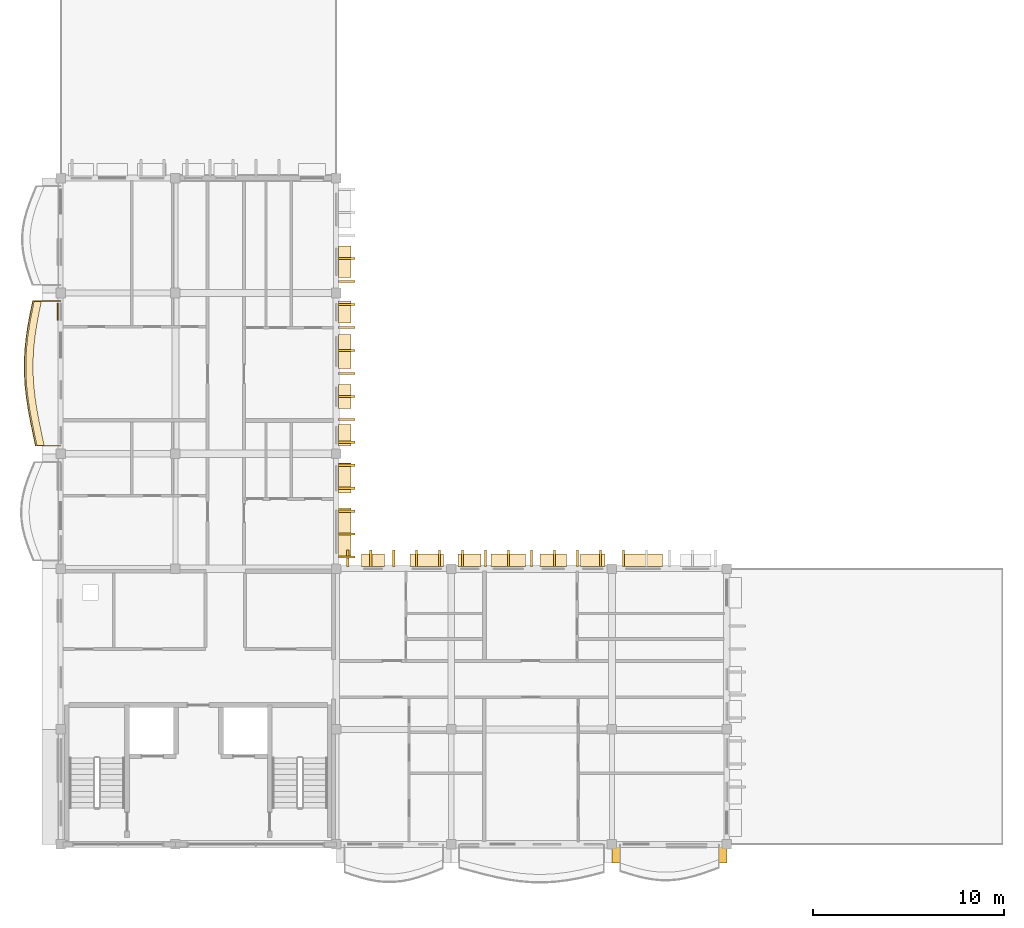
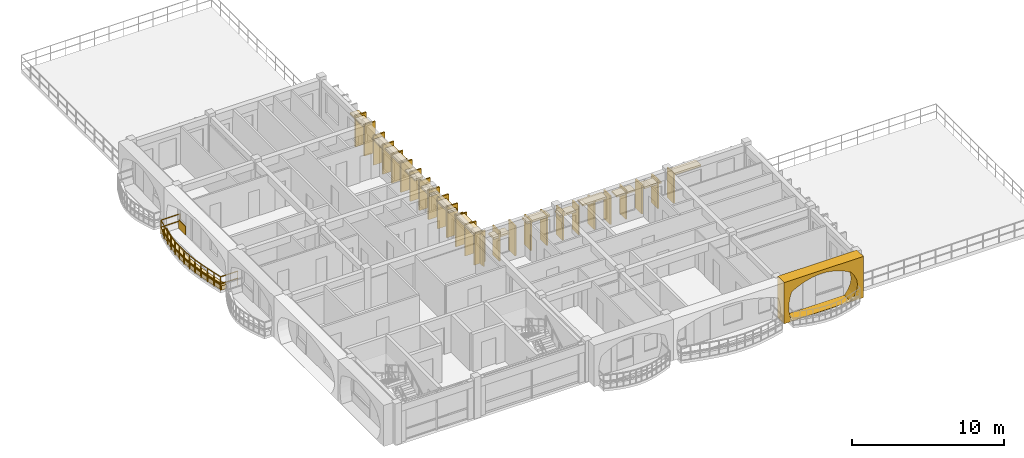
# One storey, part 38 of 59: 44 coverings, 1 railing.
"""IFC4 building model written with IfcOpenShell, lengths in metres."""

from ifc_helpers import new_model, si_unit, direction, frame, origin, origin_2d, place, context, subcontext, project, spatial, polyline, rectangle, outline, extrude, material, layer, layer_set, type_object, element, save


model = new_model("IFC4")

# Units and contexts
model_context = context("Model", 3, precision=1e-05, world=origin(), true_north=direction((0.0, 1.0)))
body_context = subcontext(model_context, "Body", "Model", "MODEL_VIEW")
ifc_project = project(units=[si_unit("LENGTHUNIT", "METRE"), si_unit("AREAUNIT", "SQUARE_METRE"), si_unit("VOLUMEUNIT", "CUBIC_METRE"), si_unit("PLANEANGLEUNIT", "RADIAN"), si_unit("MASSUNIT", "GRAM", prefix="KILO"), si_unit("THERMODYNAMICTEMPERATUREUNIT", "KELVIN")], contexts=[model_context])

# Site, building, storey
site_placement = place(None, origin())
site = spatial("IfcSite", under=ifc_project, at=site_placement, CompositionType="ELEMENT")
building_placement = place(site_placement, origin())
building = spatial("IfcBuilding", under=site, at=building_placement, Name="Thalorik Housing Commons", CompositionType="ELEMENT")
storey_placement = place(building_placement, frame((0.0, 0.0, 27.89990234375)))
storey = spatial("IfcBuildingStorey", under=building, at=storey_placement, Name="L08", CompositionType="ELEMENT", Elevation=27.89990234375)

# Coverings
ifc_material_1 = material(Name="Cobalt blue glazed ceramic facade tile panel", Category="masonry")
ifc_layer_1 = layer(ifc_material_1, 0.06005859375, Name="Cobalt blue glazed ceramic facade tile panel", Category="masonry")
ifc_layer_set_1 = layer_set([ifc_layer_1], Name="Cobalt blue glazed ceramic facade tile panel")
covering_type_1 = type_object("IfcCoveringType", Name="ARC-CLD-BLU-60", PredefinedType="CLADDING", material=ifc_layer_set_1)
covering_1_placement = place(storey_placement, frame((8.24755859375, 36.22509765625, 0.05029296875), z_axis=(0.0, 0.0, 1.0), x_axis=(0.0, -1.0, 0.0)))
element("IfcCovering", 1, at=covering_1_placement, inside=storey, type_object=covering_type_1, Name="L08 De Stijl Recessed Window Spandrel 4302", PredefinedType="CLADDING", context=body_context, shape_type="SweptSolid", body=[
    extrude(rectangle(XDim=0.89990234375, YDim=0.06005859375, at=origin_2d()), origin(), (0.0, 0.0, 1.0), 0.699951171875),
])
ifc_material_2 = material(Name="Precast concrete C40/50", Category="concrete")
ifc_layer_2 = layer(ifc_material_2, 0.85009765625, Name="Precast concrete C40/50", Category="concrete")
ifc_layer_set_2 = layer_set([ifc_layer_2], Name="Precast concrete C40/50")
covering_type_2 = type_object("IfcCoveringType", Name="ARC-CLD-CUSH-850", PredefinedType="CLADDING", material=ifc_layer_set_2)
covering_2_placement = place(storey_placement, frame((40.199951171875, 7.857421875, 0.0), z_axis=(0.0, 0.0, 1.0), x_axis=(1.0, 0.0, 0.0)))
element("IfcCovering", 2, at=covering_2_placement, inside=storey, type_object=covering_type_2, Name="L08 White Precast Curved Cushion Bay Frame 4313", PredefinedType="CLADDING", context=body_context, shape_type="SweptSolid", body=[
    extrude(outline(polyline([(-3.0, 0.0), (3.0, 0.0), (3.0, 3.300048828125), (-3.0, 3.300048828125), (-3.0, 0.0)]), holes=[polyline([(2.0400390625, 0.02490234375), (2.3232421875, 0.415771484375), (2.493408203125, 0.806640625), (2.550048828125, 1.197509765625), (2.493408203125, 1.58837890625), (2.3232421875, 1.979248046875), (2.0400390625, 2.3701171875), (1.66748046875, 2.573974609375), (1.294921875, 2.734130859375), (0.922607421875, 2.864013671875), (0.550048828125, 2.960205078125), (0.177490234375, 3.02001953125), (-0.195068359375, 3.0400390625), (-0.5673828125, 3.02001953125), (-0.93994140625, 2.960205078125), (-1.3125, 2.864013671875), (-1.68505859375, 2.734130859375), (-2.0576171875, 2.573974609375), (-2.429931640625, 2.3701171875), (-2.55029296875, 1.979248046875), (-2.62255859375, 1.58837890625), (-2.646484375, 1.197509765625), (-2.62255859375, 0.806640625), (-2.55029296875, 0.415771484375), (-2.429931640625, 0.02490234375), (2.0400390625, 0.02490234375)])]), frame((0.0, 0.425048828125, 0.0), z_axis=(0.0, -1.0, 0.0), x_axis=(1.0, 0.0, 0.0)), (0.0, 0.0, 1.0), 0.85009765625),
])
ifc_layer_3 = layer(ifc_material_2, 0.85009765625, Name="Precast concrete C40/50", Category="concrete")
ifc_layer_set_3 = layer_set([ifc_layer_3], Name="Precast concrete C40/50")
covering_type_3 = type_object("IfcCoveringType", Name="ARC-CLD-FIN-850", PredefinedType="CLADDING", material=ifc_layer_set_3)
for number, where, z_axis, x_axis, name in (
    (3, (23.342529296875, 23.39990234375, 0.0400390625), (0.0, 0.0, 1.0), (0.0, 1.0, 0.0), "L08 Courtyard Precast Vertical Brise-Soleil Fin 4260"),
    (4, (23.342529296875, 24.60009765625, 0.0400390625), (0.0, 0.0, 1.0), (0.0, 1.0, 0.0), "L08 Courtyard Precast Vertical Brise-Soleil Fin 4261"),
    (5, (23.342529296875, 25.800048828125, 0.0400390625), (0.0, 0.0, 1.0), (0.0, 1.0, 0.0), "L08 Courtyard Precast Vertical Brise-Soleil Fin 4262"),
    (6, (23.342529296875, 27.0, 0.0400390625), (0.0, 0.0, 1.0), (0.0, 1.0, 0.0), "L08 Courtyard Precast Vertical Brise-Soleil Fin 4263"),
    (7, (23.342529296875, 28.199951171875, 0.0400390625), (0.0, 0.0, 1.0), (0.0, 1.0, 0.0), "L08 Courtyard Precast Vertical Brise-Soleil Fin 4264"),
):
    element("IfcCovering", number, at=place(storey_placement, frame(where, z_axis=z_axis, x_axis=x_axis)), inside=storey, type_object=covering_type_3, Name=name, PredefinedType="CLADDING", context=body_context, shape_type="SweptSolid", body=[
        extrude(rectangle(XDim=0.110107421875, YDim=0.85009765625, at=origin_2d()), origin(), (0.0, 0.0, 1.0), 2.4951171875),
    ])
for number, where, z_axis, x_axis, name in (
    (8, (23.342529296875, 29.39990234375, 0.0400390625), (0.0, 0.0, 1.0), (0.0, 1.0, 0.0), "L08 Courtyard Precast Vertical Brise-Soleil Fin 4267"),
    (9, (23.342529296875, 30.60009765625, 0.0400390625), (0.0, 0.0, 1.0), (0.0, 1.0, 0.0), "L08 Courtyard Precast Vertical Brise-Soleil Fin 4268"),
    (10, (23.342529296875, 31.800048828125, 0.0400390625), (0.0, 0.0, 1.0), (0.0, 1.0, 0.0), "L08 Courtyard Precast Vertical Brise-Soleil Fin 4269"),
    (11, (23.342529296875, 33.0, 0.0400390625), (0.0, 0.0, 1.0), (0.0, 1.0, 0.0), "L08 Courtyard Precast Vertical Brise-Soleil Fin 4270"),
    (12, (23.342529296875, 34.199951171875, 0.0400390625), (0.0, 0.0, 1.0), (0.0, 1.0, 0.0), "L08 Courtyard Precast Vertical Brise-Soleil Fin 4271"),
    (13, (23.342529296875, 35.39990234375, 0.0400390625), (0.0, 0.0, 1.0), (0.0, 1.0, 0.0), "L08 Courtyard Precast Vertical Brise-Soleil Fin 4272"),
    (14, (23.342529296875, 36.60009765625, 0.0400390625), (0.0, 0.0, 1.0), (0.0, 1.0, 0.0), "L08 Courtyard Precast Vertical Brise-Soleil Fin 4273"),
):
    element("IfcCovering", number, at=place(storey_placement, frame(where, z_axis=z_axis, x_axis=x_axis)), inside=storey, type_object=covering_type_3, Name=name, PredefinedType="CLADDING", context=body_context, shape_type="SweptSolid", body=[
        extrude(rectangle(XDim=0.110107421875, YDim=0.85009765625, at=origin_2d()), origin(), (0.0, 0.0, 1.0), 2.344970703125),
    ])
for number, where, z_axis, x_axis, name in (
    (15, (23.342529296875, 37.800048828125, 0.0400390625), (0.0, 0.0, 1.0), (0.0, 1.0, 0.0), "L08 Courtyard Precast Vertical Brise-Soleil Fin 4278"),
    (16, (23.342529296875, 39.0, 0.0400390625), (0.0, 0.0, 1.0), (0.0, 1.0, 0.0), "L08 Courtyard Precast Vertical Brise-Soleil Fin 4279"),
):
    element("IfcCovering", number, at=place(storey_placement, frame(where, z_axis=z_axis, x_axis=x_axis)), inside=storey, type_object=covering_type_3, Name=name, PredefinedType="CLADDING", context=body_context, shape_type="SweptSolid", body=[
        extrude(rectangle(XDim=0.110107421875, YDim=0.85009765625, at=origin_2d()), origin(), (0.0, 0.0, 1.0), 2.4951171875),
    ])
covering_3_placement = place(storey_placement, frame((37.800048828125, 23.342529296875, 0.0400390625), z_axis=(0.0, 0.0, 1.0), x_axis=(-1.0, 0.0, 0.0)))
element("IfcCovering", 17, at=covering_3_placement, inside=storey, type_object=covering_type_3, Name="L08 Courtyard Precast Vertical Brise-Soleil Fin 4333", PredefinedType="CLADDING", context=body_context, shape_type="SweptSolid", body=[
    extrude(rectangle(XDim=0.110107421875, YDim=0.85009765625, at=origin_2d()), origin(), (0.0, 0.0, 1.0), 2.39501953125),
])
for number, where, z_axis, x_axis, name in (
    (18, (36.60009765625, 23.342529296875, 0.0400390625), (0.0, 0.0, 1.0), (-1.0, 0.0, 0.0), "L08 Courtyard Precast Vertical Brise-Soleil Fin 4336"),
    (19, (35.39990234375, 23.342529296875, 0.0400390625), (0.0, 0.0, 1.0), (-1.0, 0.0, 0.0), "L08 Courtyard Precast Vertical Brise-Soleil Fin 4337"),
    (20, (34.199951171875, 23.342529296875, 0.0400390625), (0.0, 0.0, 1.0), (-1.0, 0.0, 0.0), "L08 Courtyard Precast Vertical Brise-Soleil Fin 4338"),
    (21, (33.0, 23.342529296875, 0.0400390625), (0.0, 0.0, 1.0), (-1.0, 0.0, 0.0), "L08 Courtyard Precast Vertical Brise-Soleil Fin 4339"),
    (22, (31.800048828125, 23.342529296875, 0.0400390625), (0.0, 0.0, 1.0), (-1.0, 0.0, 0.0), "L08 Courtyard Precast Vertical Brise-Soleil Fin 4340"),
    (23, (30.60009765625, 23.342529296875, 0.0400390625), (0.0, 0.0, 1.0), (-1.0, 0.0, 0.0), "L08 Courtyard Precast Vertical Brise-Soleil Fin 4341"),
    (24, (29.39990234375, 23.342529296875, 0.0400390625), (0.0, 0.0, 1.0), (-1.0, 0.0, 0.0), "L08 Courtyard Precast Vertical Brise-Soleil Fin 4342"),
):
    element("IfcCovering", number, at=place(storey_placement, frame(where, z_axis=z_axis, x_axis=x_axis)), inside=storey, type_object=covering_type_3, Name=name, PredefinedType="CLADDING", context=body_context, shape_type="SweptSolid", body=[
        extrude(rectangle(XDim=0.110107421875, YDim=0.85009765625, at=origin_2d()), origin(), (0.0, 0.0, 1.0), 2.294921875),
    ])
for number, where, z_axis, x_axis, name in (
    (25, (28.199951171875, 23.342529296875, 0.0400390625), (0.0, 0.0, 1.0), (-1.0, 0.0, 0.0), "L08 Courtyard Precast Vertical Brise-Soleil Fin 4347"),
    (26, (27.0, 23.342529296875, 0.0400390625), (0.0, 0.0, 1.0), (-1.0, 0.0, 0.0), "L08 Courtyard Precast Vertical Brise-Soleil Fin 4348"),
    (27, (25.800048828125, 23.342529296875, 0.0400390625), (0.0, 0.0, 1.0), (-1.0, 0.0, 0.0), "L08 Courtyard Precast Vertical Brise-Soleil Fin 4349"),
    (28, (24.60009765625, 23.342529296875, 0.0400390625), (0.0, 0.0, 1.0), (-1.0, 0.0, 0.0), "L08 Courtyard Precast Vertical Brise-Soleil Fin 4350"),
    (29, (23.39990234375, 23.342529296875, 0.0400390625), (0.0, 0.0, 1.0), (-1.0, 0.0, 0.0), "L08 Courtyard Precast Vertical Brise-Soleil Fin 4351"),
):
    element("IfcCovering", number, at=place(storey_placement, frame(where, z_axis=z_axis, x_axis=x_axis)), inside=storey, type_object=covering_type_3, Name=name, PredefinedType="CLADDING", context=body_context, shape_type="SweptSolid", body=[
        extrude(rectangle(XDim=0.110107421875, YDim=0.85009765625, at=origin_2d()), origin(), (0.0, 0.0, 1.0), 2.39501953125),
    ])
ifc_layer_4 = layer(ifc_material_2, 0.64990234375, Name="Precast concrete C40/50", Category="concrete")
ifc_layer_set_4 = layer_set([ifc_layer_4], Name="Precast concrete C40/50")
covering_type_4 = type_object("IfcCoveringType", Name="ARC-CLD-HOOD-650", PredefinedType="CLADDING", material=ifc_layer_set_4)
covering_4_placement = place(storey_placement, frame((23.242431640625, 24.71630859375, 2.39013671875), z_axis=(0.0, 0.0, 1.0), x_axis=(0.0, 1.0, 0.0)))
element("IfcCovering", 30, at=covering_4_placement, inside=storey, type_object=covering_type_4, Name="L08 Courtyard Precast Window Sun-Hood 4265", PredefinedType="CLADDING", context=body_context, shape_type="SweptSolid", body=[
    extrude(rectangle(XDim=2.489990234375, YDim=0.64990234375, at=origin_2d()), origin(), (0.0, 0.0, 1.0), 0.139892578125),
])
covering_5_placement = place(storey_placement, frame((23.242431640625, 27.526123046875, 2.14013671875), z_axis=(0.0, 0.0, 1.0), x_axis=(0.0, 1.0, 0.0)))
element("IfcCovering", 31, at=covering_5_placement, inside=storey, type_object=covering_type_4, Name="L08 Courtyard Precast Window Sun-Hood 4266", PredefinedType="CLADDING", context=body_context, shape_type="SweptSolid", body=[
    extrude(rectangle(XDim=1.56005859375, YDim=0.64990234375, at=origin_2d()), origin(), (0.0, 0.0, 1.0), 0.139892578125),
])
covering_6_placement = place(storey_placement, frame((23.242431640625, 29.764892578125, 1.990234375), z_axis=(0.0, 0.0, 1.0), x_axis=(0.0, 1.0, 0.0)))
element("IfcCovering", 32, at=covering_6_placement, inside=storey, type_object=covering_type_4, Name="L08 Courtyard Precast Window Sun-Hood 4274", PredefinedType="CLADDING", context=body_context, shape_type="SweptSolid", body=[
    extrude(rectangle(XDim=1.139892578125, YDim=0.64990234375, at=origin_2d()), origin(), (0.0, 0.0, 1.0), 0.139892578125),
])
covering_7_placement = place(storey_placement, frame((23.242431640625, 31.787109375, 2.0400390625), z_axis=(0.0, 0.0, 1.0), x_axis=(0.0, 1.0, 0.0)))
element("IfcCovering", 33, at=covering_7_placement, inside=storey, type_object=covering_type_4, Name="L08 Courtyard Precast Window Sun-Hood 4275", PredefinedType="CLADDING", context=body_context, shape_type="SweptSolid", body=[
    extrude(rectangle(XDim=1.239990234375, YDim=0.64990234375, at=origin_2d()), origin(), (0.0, 0.0, 1.0), 0.139892578125),
])
covering_8_placement = place(storey_placement, frame((23.242431640625, 34.14111328125, 2.18994140625), z_axis=(0.0, 0.0, 1.0), x_axis=(0.0, 1.0, 0.0)))
element("IfcCovering", 34, at=covering_8_placement, inside=storey, type_object=covering_type_4, Name="L08 Courtyard Precast Window Sun-Hood 4276", PredefinedType="CLADDING", context=body_context, shape_type="SweptSolid", body=[
    extrude(rectangle(XDim=1.7900390625, YDim=0.64990234375, at=origin_2d()), origin(), (0.0, 0.0, 1.0), 0.139892578125),
])
covering_9_placement = place(storey_placement, frame((23.242431640625, 36.198974609375, 1.990234375), z_axis=(0.0, 0.0, 1.0), x_axis=(0.0, 1.0, 0.0)))
element("IfcCovering", 35, at=covering_9_placement, inside=storey, type_object=covering_type_4, Name="L08 Courtyard Precast Window Sun-Hood 4277", PredefinedType="CLADDING", context=body_context, shape_type="SweptSolid", body=[
    extrude(rectangle(XDim=1.139892578125, YDim=0.64990234375, at=origin_2d()), origin(), (0.0, 0.0, 1.0), 0.139892578125),
])
covering_10_placement = place(storey_placement, frame((23.242431640625, 38.830078125, 2.240234375), z_axis=(0.0, 0.0, 1.0), x_axis=(0.0, 1.0, 0.0)))
element("IfcCovering", 36, at=covering_10_placement, inside=storey, type_object=covering_type_4, Name="L08 Courtyard Precast Window Sun-Hood 4283", PredefinedType="CLADDING", context=body_context, shape_type="SweptSolid", body=[
    extrude(rectangle(XDim=1.639892578125, YDim=0.64990234375, at=origin_2d()), origin(), (0.0, 0.0, 1.0), 0.139892578125),
])
covering_11_placement = place(storey_placement, frame((38.830078125, 23.242431640625, 2.2900390625), z_axis=(0.0, 0.0, 1.0), x_axis=(-1.0, 0.0, 0.0)))
element("IfcCovering", 37, at=covering_11_placement, inside=storey, type_object=covering_type_4, Name="L08 Courtyard Precast Window Sun-Hood 4335", PredefinedType="CLADDING", context=body_context, shape_type="SweptSolid", body=[
    extrude(rectangle(XDim=2.0400390625, YDim=0.64990234375, at=origin_2d()), origin(), (0.0, 0.0, 1.0), 0.139892578125),
])
covering_12_placement = place(storey_placement, frame((36.198974609375, 23.242431640625, 1.990234375), z_axis=(0.0, 0.0, 1.0), x_axis=(-1.0, 0.0, 0.0)))
element("IfcCovering", 38, at=covering_12_placement, inside=storey, type_object=covering_type_4, Name="L08 Courtyard Precast Window Sun-Hood 4343", PredefinedType="CLADDING", context=body_context, shape_type="SweptSolid", body=[
    extrude(rectangle(XDim=1.2900390625, YDim=0.64990234375, at=origin_2d()), origin(), (0.0, 0.0, 1.0), 0.139892578125),
])
covering_13_placement = place(storey_placement, frame((34.14111328125, 23.242431640625, 2.0400390625), z_axis=(0.0, 0.0, 1.0), x_axis=(-1.0, 0.0, 0.0)))
element("IfcCovering", 39, at=covering_13_placement, inside=storey, type_object=covering_type_4, Name="L08 Courtyard Precast Window Sun-Hood 4344", PredefinedType="CLADDING", context=body_context, shape_type="SweptSolid", body=[
    extrude(rectangle(XDim=1.389892578125, YDim=0.64990234375, at=origin_2d()), origin(), (0.0, 0.0, 1.0), 0.139892578125),
])
covering_14_placement = place(storey_placement, frame((31.787109375, 23.242431640625, 2.22509765625), z_axis=(0.0, 0.0, 1.0), x_axis=(-1.0, 0.0, 0.0)))
element("IfcCovering", 40, at=covering_14_placement, inside=storey, type_object=covering_type_4, Name="L08 Courtyard Precast Window Sun-Hood 4345", PredefinedType="CLADDING", context=body_context, shape_type="SweptSolid", body=[
    extrude(rectangle(XDim=1.820068359375, YDim=0.64990234375, at=origin_2d()), origin(), (0.0, 0.0, 1.0), 0.139892578125),
])
covering_15_placement = place(storey_placement, frame((29.764892578125, 23.242431640625, 1.93994140625), z_axis=(0.0, 0.0, 1.0), x_axis=(-1.0, 0.0, 0.0)))
element("IfcCovering", 41, at=covering_15_placement, inside=storey, type_object=covering_type_4, Name="L08 Courtyard Precast Window Sun-Hood 4346", PredefinedType="CLADDING", context=body_context, shape_type="SweptSolid", body=[
    extrude(rectangle(XDim=1.18994140625, YDim=0.64990234375, at=origin_2d()), origin(), (0.0, 0.0, 1.0), 0.139892578125),
])
covering_16_placement = place(storey_placement, frame((27.526123046875, 23.242431640625, 2.2900390625), z_axis=(0.0, 0.0, 1.0), x_axis=(-1.0, 0.0, 0.0)))
element("IfcCovering", 42, at=covering_16_placement, inside=storey, type_object=covering_type_4, Name="L08 Courtyard Precast Window Sun-Hood 4352", PredefinedType="CLADDING", context=body_context, shape_type="SweptSolid", body=[
    extrude(rectangle(XDim=1.739990234375, YDim=0.64990234375, at=origin_2d()), origin(), (0.0, 0.0, 1.0), 0.139892578125),
])
covering_17_placement = place(storey_placement, frame((24.71630859375, 23.242431640625, 1.93994140625), z_axis=(0.0, 0.0, 1.0), x_axis=(-1.0, 0.0, 0.0)))
element("IfcCovering", 43, at=covering_17_placement, inside=storey, type_object=covering_type_4, Name="L08 Courtyard Precast Window Sun-Hood 4353", PredefinedType="CLADDING", context=body_context, shape_type="SweptSolid", body=[
    extrude(rectangle(XDim=1.18994140625, YDim=0.64990234375, at=origin_2d()), origin(), (0.0, 0.0, 1.0), 0.139892578125),
])
ifc_material_3 = material(Name="Planted vegetated substrate and terracotta trough", Category="masonry")
ifc_layer_5 = layer(ifc_material_3, 0.340087890625, Name="Planted vegetated substrate and terracotta trough", Category="masonry")
ifc_layer_set_5 = layer_set([ifc_layer_5], Name="Planted vegetated substrate and terracotta trough")
covering_type_5 = type_object("IfcCoveringType", Name="ARC-COV-PLANTER", PredefinedType="USERDEFINED", material=ifc_layer_set_5)
covering_18_placement = place(storey_placement, origin())
element("IfcCovering", 44, at=covering_18_placement, inside=storey, type_object=covering_type_5, Name="L08 Balcony Slab-Edge Planted Trough 5628", ObjectType="PLANTER", PredefinedType="USERDEFINED", context=body_context, shape_type="SweptSolid", body=[
    extrude(outline(polyline([(7.021484375, 36.780029296875), (6.889892578125, 36.14990234375), (6.773193359375, 35.52001953125), (6.67919921875, 34.889892578125), (6.613525390625, 34.260009765625), (6.5810546875, 33.6298828125), (6.58349609375, 33.0), (6.620361328125, 32.3701171875), (6.689208984375, 31.739990234375), (6.785400390625, 31.110107421875), (6.90234375, 30.47998046875), (7.031982421875, 29.85009765625), (7.165771484375, 29.219970703125), (7.5458984375, 29.219970703125), (7.412109375, 29.85009765625), (7.282470703125, 30.47998046875), (7.16552734375, 31.110107421875), (7.0693359375, 31.739990234375), (7.00048828125, 32.3701171875), (6.96337890625, 33.0), (6.961181640625, 33.6298828125), (6.99365234375, 34.260009765625), (7.05908203125, 34.889892578125), (7.1533203125, 35.52001953125), (7.27001953125, 36.14990234375), (7.4013671875, 36.780029296875), (7.021484375, 36.780029296875)])), origin(), (0.0, 0.0, 1.0), 0.340087890625),
])

# Railing
ifc_material_4 = material(Name="Steel S355", Category="steel")
railing_type = type_object("IfcRailingType", Name="ARC-RL-BAL-112", PredefinedType="BALUSTRADE", material=ifc_material_4)
railing_placement = place(storey_placement, frame((8.39990234375, 36.780029296875, 0.0)))
element("IfcRailing", 45, at=railing_placement, inside=storey, type_object=railing_type, Name="L08 Cushion Balcony Guardrail 312", PredefinedType="BALUSTRADE", context=body_context, shape_type="SweptSolid", body=[
    extrude(rectangle(XDim=0.050048828125, YDim=0.050048828125, at=origin_2d()), frame((0.0, 0.0, 1.09521484375), z_axis=(-1.0, 0.0, 0.0), x_axis=(0.0, -1.0, 0.0)), (0.0, 0.0, 1.0), 1.448486328125),
    extrude(rectangle(XDim=0.050048828125, YDim=0.050048828125, at=origin_2d()), frame((0.0, 0.0, 0.53515625), z_axis=(-1.0, 0.0, 0.0), x_axis=(0.0, -1.0, 0.0)), (0.0, 0.0, 1.0), 1.448486328125),
    extrude(rectangle(XDim=0.050048828125, YDim=0.050048828125, at=origin_2d()), frame((-1.448486328125, 0.0, 1.09521484375), z_axis=(-0.204060278582, -0.978958325316, 0.0), x_axis=(0.978958325316, -0.204060278582, 0.0)), (0.0, 0.0, 1.0), 0.6435546875),
    extrude(rectangle(XDim=0.050048828125, YDim=0.050048828125, at=origin_2d()), frame((-1.448486328125, 0.0, 0.53515625), z_axis=(-0.204060278582, -0.978958325316, 0.0), x_axis=(0.978958325316, -0.204060278582, 0.0)), (0.0, 0.0, 1.0), 0.6435546875),
    extrude(rectangle(XDim=0.050048828125, YDim=0.050048828125, at=origin_2d()), frame((-1.579833984375, -0.630126953125, 1.09521484375), z_axis=(-0.182171142854, -0.983266838, 0.0), x_axis=(0.983266838, -0.182171142854, 0.0)), (0.0, 0.0, 1.0), 0.640625),
    extrude(rectangle(XDim=0.050048828125, YDim=0.050048828125, at=origin_2d()), frame((-1.579833984375, -0.630126953125, 0.53515625), z_axis=(-0.182171142854, -0.983266838, 0.0), x_axis=(0.983266838, -0.182171142854, 0.0)), (0.0, 0.0, 1.0), 0.640625),
    extrude(rectangle(XDim=0.050048828125, YDim=0.050048828125, at=origin_2d()), frame((-1.696533203125, -1.260009765625, 1.09521484375), z_axis=(-0.147909472647, -0.989000903893, 0.0), x_axis=(0.989000903893, -0.147909472647, 0.0)), (0.0, 0.0, 1.0), 0.63720703125),
    extrude(rectangle(XDim=0.050048828125, YDim=0.050048828125, at=origin_2d()), frame((-1.696533203125, -1.260009765625, 0.53515625), z_axis=(-0.147909472647, -0.989000903893, 0.0), x_axis=(0.989000903893, -0.147909472647, 0.0)), (0.0, 0.0, 1.0), 0.63720703125),
    extrude(rectangle(XDim=0.050048828125, YDim=0.050048828125, at=origin_2d()), frame((-1.790771484375, -1.89013671875, 1.09521484375), z_axis=(-0.10332004178, -0.994648163406, 0.0), x_axis=(0.994648163406, -0.10332004178, 0.0)), (0.0, 0.0, 1.0), 0.63330078125),
    extrude(rectangle(XDim=0.050048828125, YDim=0.050048828125, at=origin_2d()), frame((-1.790771484375, -1.89013671875, 0.53515625), z_axis=(-0.10332004178, -0.994648163406, 0.0), x_axis=(0.994648163406, -0.10332004178, 0.0)), (0.0, 0.0, 1.0), 0.63330078125),
    extrude(rectangle(XDim=0.050048828125, YDim=0.050048828125, at=origin_2d()), frame((-1.856201171875, -2.52001953125, 1.09521484375), z_axis=(-0.05184803106, -0.998654986307, 0.0), x_axis=(0.998654986307, -0.05184803106, 0.0)), (0.0, 0.0, 1.0), 0.630859375),
    extrude(rectangle(XDim=0.050048828125, YDim=0.050048828125, at=origin_2d()), frame((-1.856201171875, -2.52001953125, 0.53515625), z_axis=(-0.05184803106, -0.998654986307, 0.0), x_axis=(0.998654986307, -0.05184803106, 0.0)), (0.0, 0.0, 1.0), 0.630859375),
    extrude(rectangle(XDim=0.050048828125, YDim=0.050048828125, at=origin_2d()), frame((-1.888916015625, -3.150146484375, 1.09521484375), z_axis=(0.003875939878, -0.999992488517, 0.0), x_axis=(0.999992488517, 0.003875939878, 0.0)), (0.0, 0.0, 1.0), 0.6298828125),
    extrude(rectangle(XDim=0.050048828125, YDim=0.050048828125, at=origin_2d()), frame((-1.888916015625, -3.150146484375, 0.53515625), z_axis=(0.003875939878, -0.999992488517, 0.0), x_axis=(0.999992488517, 0.003875939878, 0.0)), (0.0, 0.0, 1.0), 0.6298828125),
    extrude(rectangle(XDim=0.050048828125, YDim=0.050048828125, at=origin_2d()), frame((-1.886474609375, -3.780029296875, 1.09521484375), z_axis=(0.058427148419, -0.998291674977, 0.0), x_axis=(0.998291674977, 0.058427148419, 0.0)), (0.0, 0.0, 1.0), 0.630859375),
    extrude(rectangle(XDim=0.050048828125, YDim=0.050048828125, at=origin_2d()), frame((-1.886474609375, -3.780029296875, 0.53515625), z_axis=(0.058427148419, -0.998291674977, 0.0), x_axis=(0.998291674977, 0.058427148419, 0.0)), (0.0, 0.0, 1.0), 0.630859375),
    extrude(rectangle(XDim=0.050048828125, YDim=0.050048828125, at=origin_2d()), frame((-1.849609375, -4.409912109375, 1.09521484375), z_axis=(0.108994186572, -0.994042387071, 0.0), x_axis=(0.994042387071, 0.108994186572, 0.0)), (0.0, 0.0, 1.0), 0.6337890625),
    extrude(rectangle(XDim=0.050048828125, YDim=0.050048828125, at=origin_2d()), frame((-1.849609375, -4.409912109375, 0.53515625), z_axis=(0.108994186572, -0.994042387071, 0.0), x_axis=(0.994042387071, 0.108994186572, 0.0)), (0.0, 0.0, 1.0), 0.6337890625),
    extrude(rectangle(XDim=0.050048828125, YDim=0.050048828125, at=origin_2d()), frame((-1.780517578125, -5.0400390625, 1.09521484375), z_axis=(0.150962995847, -0.988539414432, 0.0), x_axis=(0.988539414432, 0.150962995847, 0.0)), (0.0, 0.0, 1.0), 0.63720703125),
    extrude(rectangle(XDim=0.050048828125, YDim=0.050048828125, at=origin_2d()), frame((-1.780517578125, -5.0400390625, 0.53515625), z_axis=(0.150962995847, -0.988539414432, 0.0), x_axis=(0.988539414432, 0.150962995847, 0.0)), (0.0, 0.0, 1.0), 0.63720703125),
    extrude(rectangle(XDim=0.050048828125, YDim=0.050048828125, at=origin_2d()), frame((-1.684326171875, -5.669921875, 1.09521484375), z_axis=(0.182471198861, -0.983211198872, 0.0), x_axis=(0.983211198872, 0.182471198861, 0.0)), (0.0, 0.0, 1.0), 0.640869140625),
    extrude(rectangle(XDim=0.050048828125, YDim=0.050048828125, at=origin_2d()), frame((-1.684326171875, -5.669921875, 0.53515625), z_axis=(0.182471198861, -0.983211198872, 0.0), x_axis=(0.983211198872, 0.182471198861, 0.0)), (0.0, 0.0, 1.0), 0.640869140625),
    extrude(rectangle(XDim=0.050048828125, YDim=0.050048828125, at=origin_2d()), frame((-1.5673828125, -6.300048828125, 1.09521484375), z_axis=(0.201588649293, -0.979470273401, 0.0), x_axis=(0.979470273401, 0.201588649293, 0.0)), (0.0, 0.0, 1.0), 0.64306640625),
    extrude(rectangle(XDim=0.050048828125, YDim=0.050048828125, at=origin_2d()), frame((-1.5673828125, -6.300048828125, 0.53515625), z_axis=(0.201588649293, -0.979470273401, 0.0), x_axis=(0.979470273401, 0.201588649293, 0.0)), (0.0, 0.0, 1.0), 0.64306640625),
    extrude(rectangle(XDim=0.050048828125, YDim=0.050048828125, at=origin_2d()), frame((-1.437744140625, -6.929931640625, 1.09521484375), z_axis=(0.207328346642, -0.978271412584, 0.0), x_axis=(0.978271412584, 0.207328346642, 0.0)), (0.0, 0.0, 1.0), 0.64404296875),
    extrude(rectangle(XDim=0.050048828125, YDim=0.050048828125, at=origin_2d()), frame((-1.437744140625, -6.929931640625, 0.53515625), z_axis=(0.207328346642, -0.978271412584, 0.0), x_axis=(0.978271412584, 0.207328346642, 0.0)), (0.0, 0.0, 1.0), 0.64404296875),
    extrude(rectangle(XDim=0.050048828125, YDim=0.050048828125, at=origin_2d()), frame((-1.30419921875, -7.56005859375, 1.09521484375), z_axis=(1.0, 0.0, 0.0), x_axis=(0.0, 1.0, 0.0)), (0.0, 0.0, 1.0), 1.30419921875),
    extrude(rectangle(XDim=0.050048828125, YDim=0.050048828125, at=origin_2d()), frame((-1.30419921875, -7.56005859375, 0.53515625), z_axis=(1.0, 0.0, 0.0), x_axis=(0.0, 1.0, 0.0)), (0.0, 0.0, 1.0), 1.30419921875),
    extrude(rectangle(XDim=0.0419921875, YDim=0.0419921875, at=origin_2d()), origin(), (0.0, 0.0, 1.0), 1.070068359375),
    extrude(rectangle(XDim=0.0419921875, YDim=0.0419921875, at=origin_2d()), frame((-1.448486328125, 0.0, 0.0)), (0.0, 0.0, 1.0), 1.070068359375),
    extrude(rectangle(XDim=0.0419921875, YDim=0.0419921875, at=origin_2d()), frame((-1.579833984375, -0.630126953125, 0.0)), (0.0, 0.0, 1.0), 1.070068359375),
    extrude(rectangle(XDim=0.0419921875, YDim=0.0419921875, at=origin_2d()), frame((-1.696533203125, -1.260009765625, 0.0)), (0.0, 0.0, 1.0), 1.070068359375),
    extrude(rectangle(XDim=0.0419921875, YDim=0.0419921875, at=origin_2d()), frame((-1.790771484375, -1.89013671875, 0.0)), (0.0, 0.0, 1.0), 1.070068359375),
    extrude(rectangle(XDim=0.0419921875, YDim=0.0419921875, at=origin_2d()), frame((-1.856201171875, -2.52001953125, 0.0)), (0.0, 0.0, 1.0), 1.070068359375),
    extrude(rectangle(XDim=0.0419921875, YDim=0.0419921875, at=origin_2d()), frame((-1.888916015625, -3.150146484375, 0.0)), (0.0, 0.0, 1.0), 1.070068359375),
    extrude(rectangle(XDim=0.0419921875, YDim=0.0419921875, at=origin_2d()), frame((-1.886474609375, -3.780029296875, 0.0)), (0.0, 0.0, 1.0), 1.070068359375),
    extrude(rectangle(XDim=0.0419921875, YDim=0.0419921875, at=origin_2d()), frame((-1.849609375, -4.409912109375, 0.0)), (0.0, 0.0, 1.0), 1.070068359375),
    extrude(rectangle(XDim=0.0419921875, YDim=0.0419921875, at=origin_2d()), frame((-1.780517578125, -5.0400390625, 0.0)), (0.0, 0.0, 1.0), 1.070068359375),
    extrude(rectangle(XDim=0.0419921875, YDim=0.0419921875, at=origin_2d()), frame((-1.684326171875, -5.669921875, 0.0)), (0.0, 0.0, 1.0), 1.070068359375),
    extrude(rectangle(XDim=0.0419921875, YDim=0.0419921875, at=origin_2d()), frame((-1.5673828125, -6.300048828125, 0.0)), (0.0, 0.0, 1.0), 1.070068359375),
    extrude(rectangle(XDim=0.0419921875, YDim=0.0419921875, at=origin_2d()), frame((-1.437744140625, -6.929931640625, 0.0)), (0.0, 0.0, 1.0), 1.070068359375),
    extrude(rectangle(XDim=0.0419921875, YDim=0.0419921875, at=origin_2d()), frame((-1.30419921875, -7.56005859375, 0.0)), (0.0, 0.0, 1.0), 1.070068359375),
    extrude(rectangle(XDim=0.0419921875, YDim=0.0419921875, at=origin_2d()), frame((0.0, -7.56005859375, 0.0)), (0.0, 0.0, 1.0), 1.070068359375),
])

save(model, "model.ifc")
